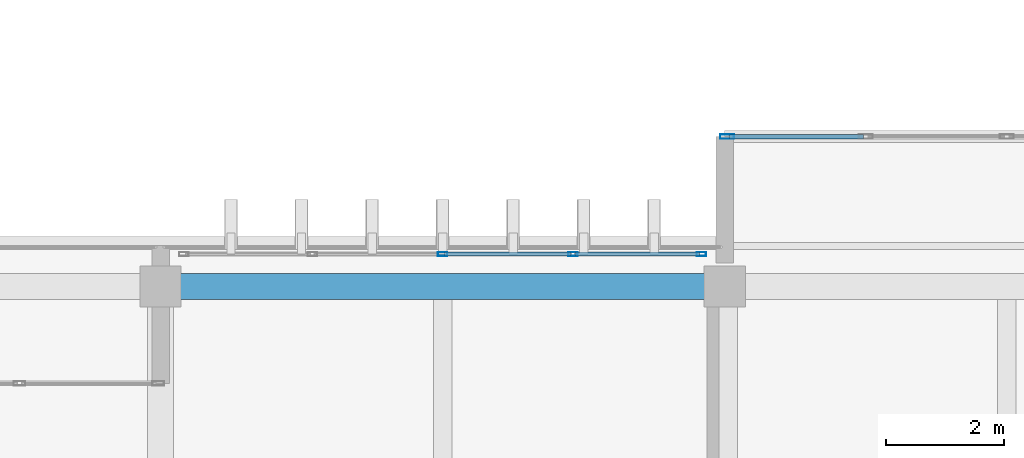
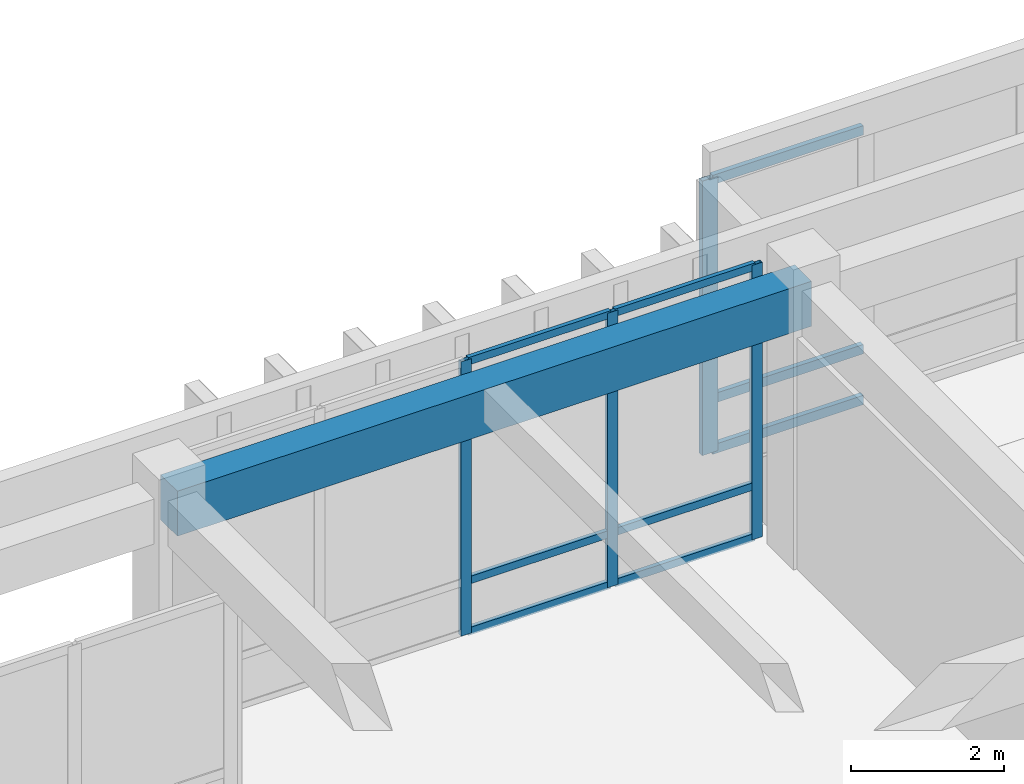
# One storey, part 49 of 133: 13 members, 1 beam, 2 elements without a shape of their own.
"""IFC4 building model written with IfcOpenShell, lengths in metres."""

from ifc_helpers import new_model, si_unit, direction, frame, origin, origin_2d, place, context, subcontext, project, spatial, rectangle, hollow_rectangle, extrude, material, layer, layer_set, material_profile, profile_set, type_object, element, aggregate, save


model = new_model("IFC4")

# Units and contexts
model_context = context("Model", 3, precision=1e-05, world=origin(), true_north=direction((0.0, 1.0)))
body_context = subcontext(model_context, "Body", "Model", "MODEL_VIEW")
ifc_project = project(units=[si_unit("LENGTHUNIT", "METRE"), si_unit("AREAUNIT", "SQUARE_METRE"), si_unit("VOLUMEUNIT", "CUBIC_METRE"), si_unit("PLANEANGLEUNIT", "RADIAN"), si_unit("MASSUNIT", "GRAM", prefix="KILO")], contexts=[model_context])

# Site, building, storey
site_placement = place(None, origin())
site = spatial("IfcSite", under=ifc_project, at=site_placement, CompositionType="ELEMENT")
building_placement = place(site_placement, origin())
building = spatial("IfcBuilding", under=site, at=building_placement, Name="Nakhvara Creek Congress Hotel", CompositionType="ELEMENT")
storey_placement = place(building_placement, frame((0.0, 0.0, 11.39990234375)))
storey = spatial("IfcBuildingStorey", under=building, at=storey_placement, Name="L02", CompositionType="ELEMENT", Elevation=11.39990234375)

# Beam
ifc_material_1 = material(Name="Concrete C40/50", Category="concrete")
ifc_material_profile_1 = material_profile(ifc_material_1, rectangle(XDim=0.43994140625, YDim=0.719970703125, at=origin_2d()), Name="RC-BM 440x720", Category="LoadBearing")
ifc_profile_set_1 = profile_set([ifc_material_profile_1], Name="Concrete C40/50")
beam_type = type_object("IfcBeamType", Name="BM-RC-440X720", PredefinedType="BEAM", material=ifc_profile_set_1)
beam_placement = place(storey_placement, frame((96.0, 95.25, 4.06005859375), z_axis=(1.0, 0.0, 0.0), x_axis=(0.0, 1.0, 0.0)))
element("IfcBeam", 1, at=beam_placement, inside=storey, type_object=beam_type, Name="Beam B12-L02-1491", PredefinedType="BEAM", context=body_context, shape_type="SweptSolid", body=[
    extrude(rectangle(XDim=0.43994140625, YDim=0.719970703125, at=origin_2d()), origin(), (0.0, 0.0, 1.0), 9.60009765625),
])

# Curtain wall, members
ifc_material_2 = material(Name="Bronze-anodised aluminium AW-6063-T6 and double-silver low-E glass", Category="aluminium")
ifc_layer_1 = layer(ifc_material_2, 0.199951171875)
ifc_layer_set_1 = layer_set([ifc_layer_1], Name="Bronze-anodised aluminium AW-6063-T6 and double-silver low-E glass")
curtain_wall_type_1 = type_object("IfcCurtainWallType", Name="CW-POD-STICK", PredefinedType="NOTDEFINED", material=ifc_layer_set_1)
curtain_wall_1_placement = place(storey_placement, origin())
curtain_wall_1 = element("IfcCurtainWall", 2, at=curtain_wall_1_placement, inside=storey, type_object=curtain_wall_type_1, Name="Curtain Wall CW086", PredefinedType="NOTDEFINED")
ifc_material_3 = material(Name="Bronze-anodised aluminium AW-6063-T6", Category="aluminium")
ifc_material_profile_2 = material_profile(ifc_material_3, hollow_rectangle(XDim=0.06494140625, YDim=0.159912109375, WallThickness=0.00390625, at=origin_2d()), Name="ALU-MULL 65x160x4", Category="LoadBearing")
ifc_profile_set_2 = profile_set([ifc_material_profile_2], Name="Bronze-anodised aluminium AW-6063-T6")
member_type_1 = type_object("IfcMemberType", Name="CW-MULL-160", PredefinedType="MULLION", material=ifc_profile_set_2)
member_1_placement = place(storey_placement, frame((100.800048828125, 95.800048828125, 0.0), z_axis=(0.0, 0.0, 1.0), x_axis=(0.0, 1.0, 0.0)))
member_1 = element("IfcMember", 3, at=member_1_placement, type_object=member_type_1, Name="CW086 mullion 3", PredefinedType="MULLION", context=body_context, shape_type="SweptSolid", body=[
    extrude(hollow_rectangle(XDim=0.06494140625, YDim=0.159912109375, WallThickness=0.00390625, at=origin_2d()), origin(), (0.0, 0.0, 1.0), 4.39013671875),
])
member_2_placement = place(storey_placement, frame((103.017578125, 95.800048828125, 0.0), z_axis=(0.0, 0.0, 1.0), x_axis=(0.0, 1.0, 0.0)))
member_2 = element("IfcMember", 4, at=member_2_placement, type_object=member_type_1, Name="CW086 mullion 4", PredefinedType="MULLION", context=body_context, shape_type="SweptSolid", body=[
    extrude(hollow_rectangle(XDim=0.06494140625, YDim=0.159912109375, WallThickness=0.00390625, at=origin_2d()), origin(), (0.0, 0.0, 1.0), 4.39013671875),
])
member_3_placement = place(storey_placement, frame((105.202392578125, 95.800048828125, 0.0), z_axis=(0.0, 0.0, 1.0), x_axis=(0.0, 1.0, 0.0)))
member_3 = element("IfcMember", 5, at=member_3_placement, type_object=member_type_1, Name="CW086 mullion 5", PredefinedType="MULLION", context=body_context, shape_type="SweptSolid", body=[
    extrude(hollow_rectangle(XDim=0.06494140625, YDim=0.159912109375, WallThickness=0.00390625, at=origin_2d()), origin(), (0.0, 0.0, 1.0), 4.39013671875),
])

# Curtain wall, member
ifc_layer_2 = layer(ifc_material_2, 0.219970703125)
ifc_layer_set_2 = layer_set([ifc_layer_2], Name="Bronze-anodised aluminium AW-6063-T6 and double-silver low-E glass")
curtain_wall_type_2 = type_object("IfcCurtainWallType", Name="CW-BOX-PROJ", PredefinedType="USERDEFINED", material=ifc_layer_set_2)
curtain_wall_2_placement = place(storey_placement, origin())
curtain_wall_2 = element("IfcCurtainWall", 6, at=curtain_wall_2_placement, inside=storey, type_object=curtain_wall_type_2, Name="Curtain Wall CW082", ObjectType="UNITISED", PredefinedType="USERDEFINED")
ifc_material_profile_3 = material_profile(ifc_material_3, hollow_rectangle(XDim=0.080078125, YDim=0.239990234375, WallThickness=0.0048828125, at=origin_2d()), Name="ALU-MULL 80x240x5", Category="LoadBearing")
ifc_profile_set_3 = profile_set([ifc_material_profile_3], Name="Bronze-anodised aluminium AW-6063-T6")
member_type_2 = type_object("IfcMemberType", Name="CW-MULL-240", PredefinedType="MULLION", material=ifc_profile_set_3)
member_4_placement = place(storey_placement, frame((105.639892578125, 97.800048828125, 0.0), z_axis=(0.0, 0.0, 1.0), x_axis=(0.0, 1.0, 0.0)))
member_4 = element("IfcMember", 7, at=member_4_placement, type_object=member_type_2, Name="CW082 mullion 1", PredefinedType="MULLION", context=body_context, shape_type="SweptSolid", body=[
    extrude(hollow_rectangle(XDim=0.080078125, YDim=0.239990234375, WallThickness=0.0048828125, at=origin_2d()), origin(), (0.0, 0.0, 1.0), 4.39013671875),
])

# Member
ifc_material_profile_4 = material_profile(ifc_material_3, hollow_rectangle(XDim=0.06494140625, YDim=0.1201171875, WallThickness=0.00390625, at=origin_2d()), Name="ALU-TRAN 65x120x4", Category="LoadBearing")
ifc_profile_set_4 = profile_set([ifc_material_profile_4], Name="Bronze-anodised aluminium AW-6063-T6")
member_type_3 = type_object("IfcMemberType", Name="CW-TRAN-120", PredefinedType="USERDEFINED", material=ifc_profile_set_4)
member_5_placement = place(storey_placement, frame((100.83251953125, 95.800048828125, 0.03271484375), z_axis=(1.0, 0.0, 0.0), x_axis=(0.0, 1.0, 0.0)))
member_5 = element("IfcMember", 8, at=member_5_placement, type_object=member_type_3, Name="CW086 transom 3.1", ObjectType="TRANSOM", PredefinedType="USERDEFINED", context=body_context, shape_type="SweptSolid", body=[
    extrude(hollow_rectangle(XDim=0.06494140625, YDim=0.1201171875, WallThickness=0.00390625, at=origin_2d()), origin(), (0.0, 0.0, 1.0), 2.152587890625),
])

member_6_placement = place(storey_placement, frame((100.83251953125, 95.800048828125, 0.85009765625), z_axis=(1.0, 0.0, 0.0), x_axis=(0.0, 1.0, 0.0)))
member_6 = element("IfcMember", 9, at=member_6_placement, type_object=member_type_3, Name="CW086 transom 3.2", ObjectType="TRANSOM", PredefinedType="USERDEFINED", context=body_context, shape_type="SweptSolid", body=[
    extrude(hollow_rectangle(XDim=0.06494140625, YDim=0.1201171875, WallThickness=0.00390625, at=origin_2d()), origin(), (0.0, 0.0, 1.0), 2.152587890625),
])

member_7_placement = place(storey_placement, frame((100.83251953125, 95.800048828125, 4.357666015625), z_axis=(1.0, 0.0, 0.0), x_axis=(0.0, 1.0, 0.0)))
member_7 = element("IfcMember", 10, at=member_7_placement, type_object=member_type_3, Name="CW086 transom 3.3", ObjectType="TRANSOM", PredefinedType="USERDEFINED", context=body_context, shape_type="SweptSolid", body=[
    extrude(hollow_rectangle(XDim=0.06494140625, YDim=0.1201171875, WallThickness=0.00390625, at=origin_2d()), origin(), (0.0, 0.0, 1.0), 2.152587890625),
])

member_8_placement = place(storey_placement, frame((103.050048828125, 95.800048828125, 0.03271484375), z_axis=(1.0, 0.0, 0.0), x_axis=(0.0, 1.0, 0.0)))
member_8 = element("IfcMember", 11, at=member_8_placement, type_object=member_type_3, Name="CW086 transom 4.1", ObjectType="TRANSOM", PredefinedType="USERDEFINED", context=body_context, shape_type="SweptSolid", body=[
    extrude(hollow_rectangle(XDim=0.06494140625, YDim=0.1201171875, WallThickness=0.00390625, at=origin_2d()), origin(), (0.0, 0.0, 1.0), 2.119873046875),
])

member_9_placement = place(storey_placement, frame((103.050048828125, 95.800048828125, 0.85009765625), z_axis=(1.0, 0.0, 0.0), x_axis=(0.0, 1.0, 0.0)))
member_9 = element("IfcMember", 12, at=member_9_placement, type_object=member_type_3, Name="CW086 transom 4.2", ObjectType="TRANSOM", PredefinedType="USERDEFINED", context=body_context, shape_type="SweptSolid", body=[
    extrude(hollow_rectangle(XDim=0.06494140625, YDim=0.1201171875, WallThickness=0.00390625, at=origin_2d()), origin(), (0.0, 0.0, 1.0), 2.119873046875),
])

member_10_placement = place(storey_placement, frame((103.050048828125, 95.800048828125, 4.357666015625), z_axis=(1.0, 0.0, 0.0), x_axis=(0.0, 1.0, 0.0)))
member_10 = element("IfcMember", 13, at=member_10_placement, type_object=member_type_3, Name="CW086 transom 4.3", ObjectType="TRANSOM", PredefinedType="USERDEFINED", context=body_context, shape_type="SweptSolid", body=[
    extrude(hollow_rectangle(XDim=0.06494140625, YDim=0.1201171875, WallThickness=0.00390625, at=origin_2d()), origin(), (0.0, 0.0, 1.0), 2.119873046875),
])

aggregate(curtain_wall_1, [member_1, member_2, member_3, member_5, member_6, member_7, member_8, member_9, member_10])

ifc_material_profile_5 = material_profile(ifc_material_3, hollow_rectangle(XDim=0.074951171875, YDim=0.14990234375, WallThickness=0.00390625, at=origin_2d()), Name="ALU-TRAN 75x150x4", Category="LoadBearing")
ifc_profile_set_5 = profile_set([ifc_material_profile_5], Name="Bronze-anodised aluminium AW-6063-T6")
member_type_4 = type_object("IfcMemberType", Name="CW-TRAN-150", PredefinedType="USERDEFINED", material=ifc_profile_set_5)
member_11_placement = place(storey_placement, frame((105.679931640625, 97.800048828125, 0.03759765625), z_axis=(1.0, 0.0, 0.0), x_axis=(0.0, 1.0, 0.0)))
member_11 = element("IfcMember", 14, at=member_11_placement, type_object=member_type_4, Name="CW082 transom 1.1", ObjectType="TRANSOM", PredefinedType="USERDEFINED", context=body_context, shape_type="SweptSolid", body=[
    extrude(hollow_rectangle(XDim=0.074951171875, YDim=0.14990234375, WallThickness=0.00390625, at=origin_2d()), origin(), (0.0, 0.0, 1.0), 2.280029296875),
])

member_12_placement = place(storey_placement, frame((105.679931640625, 97.800048828125, 0.85009765625), z_axis=(1.0, 0.0, 0.0), x_axis=(0.0, 1.0, 0.0)))
member_12 = element("IfcMember", 15, at=member_12_placement, type_object=member_type_4, Name="CW082 transom 1.2", ObjectType="TRANSOM", PredefinedType="USERDEFINED", context=body_context, shape_type="SweptSolid", body=[
    extrude(hollow_rectangle(XDim=0.074951171875, YDim=0.14990234375, WallThickness=0.00390625, at=origin_2d()), origin(), (0.0, 0.0, 1.0), 2.280029296875),
])

member_13_placement = place(storey_placement, frame((105.679931640625, 97.800048828125, 4.3525390625), z_axis=(1.0, 0.0, 0.0), x_axis=(0.0, 1.0, 0.0)))
member_13 = element("IfcMember", 16, at=member_13_placement, type_object=member_type_4, Name="CW082 transom 1.3", ObjectType="TRANSOM", PredefinedType="USERDEFINED", context=body_context, shape_type="SweptSolid", body=[
    extrude(hollow_rectangle(XDim=0.074951171875, YDim=0.14990234375, WallThickness=0.00390625, at=origin_2d()), origin(), (0.0, 0.0, 1.0), 2.280029296875),
])

aggregate(curtain_wall_2, [member_4, member_11, member_12, member_13])

save(model, "model.ifc")
